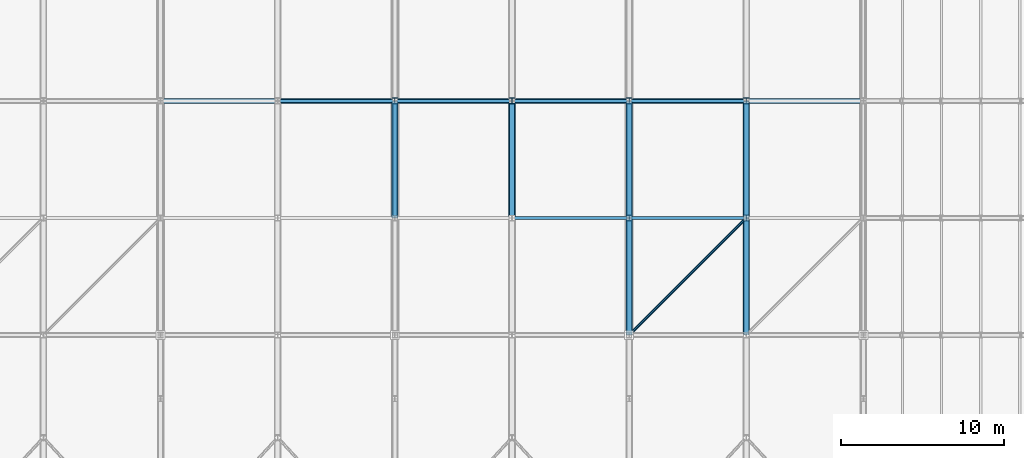
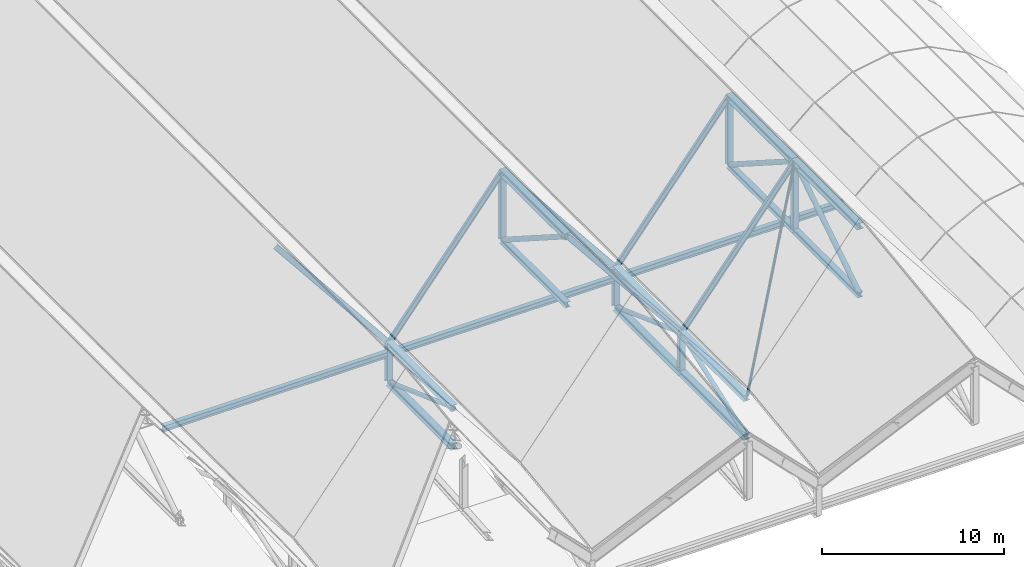
# One storey, part 13 of 60: 31 members, 3 beams.
"""IFC4 building model written with IfcOpenShell, lengths in metres."""

from ifc_helpers import new_model, si_unit, direction, frame, origin, origin_2d, place, context, subcontext, project, spatial, hollow_circle, i_section, extrude, material, material_profile, profile_set, type_object, element, save


model = new_model("IFC4")

# Units and contexts
model_context = context("Model", 3, precision=1e-05, world=origin(), true_north=direction((0.0, 1.0)))
body_context = subcontext(model_context, "Body", "Model", "MODEL_VIEW")
ifc_project = project(units=[si_unit("LENGTHUNIT", "METRE"), si_unit("AREAUNIT", "SQUARE_METRE"), si_unit("VOLUMEUNIT", "CUBIC_METRE"), si_unit("PLANEANGLEUNIT", "RADIAN"), si_unit("MASSUNIT", "GRAM", prefix="KILO")], contexts=[model_context])

# Site, building, storey
site_placement = place(None, origin())
site = spatial("IfcSite", under=ifc_project, at=site_placement, CompositionType="ELEMENT")
building_placement = place(site_placement, origin())
building = spatial("IfcBuilding", under=site, at=building_placement, Name="Vesperath Aquatics Centre", CompositionType="ELEMENT")
storey_placement = place(building_placement, frame((0.0, 0.0, 27.60009765625)))
storey = spatial("IfcBuildingStorey", under=building, at=storey_placement, Name="RF", CompositionType="ELEMENT", Elevation=27.60009765625)

# Beams
ifc_material_1 = material(Name="Steel Q355C", Category="steel")
ifc_material_profile_1 = material_profile(ifc_material_1, i_section(OverallWidth=0.300048828125, OverallDepth=0.389892578125, WebThickness=0.010009765625, FlangeThickness=0.01611328125, FilletRadius=0.02197265625, at=origin_2d()), Name="HM 390x300x10x16")
ifc_profile_set_1 = profile_set([ifc_material_profile_1], Name="Steel Q355C")
beam_type = type_object("IfcBeamType", Name="BM-RB03", PredefinedType="BEAM", material=ifc_profile_set_1)
for number, where, z_axis, x_axis, name in (
    (1, (57.60009765625, 28.800048828125, -10.478759765625), (1.0, 0.0, 0.0), (0.0, 1.0, 0.0), "Natatorium Roof Deck Support Beam B11 G5-28.8"),
    (2, (72.0, 28.800048828125, -10.478759765625), (1.0, 0.0, 0.0), (0.0, 1.0, 0.0), "Natatorium Roof Deck Support Beam B11 G6-28.8"),
):
    element("IfcBeam", number, at=place(storey_placement, frame(where, z_axis=z_axis, x_axis=x_axis)), inside=storey, type_object=beam_type, Name=name, PredefinedType="BEAM", context=body_context, shape_type="SweptSolid", body=[
        extrude(i_section(OverallWidth=0.300048828125, OverallDepth=0.389892578125, WebThickness=0.010009765625, FlangeThickness=0.01611328125, FilletRadius=0.02197265625, at=origin_2d()), origin(), (0.0, 0.0, 1.0), 14.39990234375),
    ])
beam_placement = place(storey_placement, frame((86.39990234375, 28.800048828125, -10.478759765625), z_axis=(1.0, 0.0, 0.0), x_axis=(0.0, 1.0, 0.0)))
element("IfcBeam", 3, at=beam_placement, inside=storey, type_object=beam_type, Name="Natatorium Roof Deck Support Beam B11 G7-28.8", PredefinedType="BEAM", context=body_context, shape_type="SweptSolid", body=[
    extrude(i_section(OverallWidth=0.300048828125, OverallDepth=0.389892578125, WebThickness=0.010009765625, FlangeThickness=0.01611328125, FilletRadius=0.02197265625, at=origin_2d()), origin(), (0.0, 0.0, 1.0), 14.400146484375),
])

# Members
ifc_material_2 = material(Name="Steel Q355D", Category="steel")
ifc_material_profile_2 = material_profile(ifc_material_2, i_section(OverallWidth=0.39990234375, OverallDepth=0.39990234375, WebThickness=0.012939453125, FlangeThickness=0.02099609375, FilletRadius=0.02197265625, at=origin_2d()), Name="HW 400x400x13x21")
ifc_profile_set_2 = profile_set([ifc_material_profile_2], Name="Steel Q355D")
member_type_1 = type_object("IfcMemberType", Name="MB-BC01", PredefinedType="CHORD", material=ifc_profile_set_2)
member_1_placement = place(storey_placement, frame((72.0, 21.60009765625, -12.400146484375), z_axis=(0.0, 1.0, 0.0), x_axis=(-1.0, 0.0, 0.0)))
element("IfcMember", 4, at=member_1_placement, inside=storey, type_object=member_type_1, Name="Natatorium ROOF TRUSS Bottom Chord BC01 G11-4", PredefinedType="CHORD", context=body_context, shape_type="SweptSolid", body=[
    extrude(i_section(OverallWidth=0.39990234375, OverallDepth=0.39990234375, WebThickness=0.012939453125, FlangeThickness=0.02099609375, FilletRadius=0.02197265625, at=origin_2d()), origin(), (0.0, 0.0, 1.0), 7.199951171875),
])
member_2_placement = place(storey_placement, frame((86.39990234375, 14.39990234375, -12.400146484375), z_axis=(0.0, 1.0, 0.0), x_axis=(-1.0, 0.0, 0.0)))
element("IfcMember", 5, at=member_2_placement, inside=storey, type_object=member_type_1, Name="Natatorium ROOF TRUSS Bottom Chord BC01 G13-3", PredefinedType="CHORD", context=body_context, shape_type="SweptSolid", body=[
    extrude(i_section(OverallWidth=0.39990234375, OverallDepth=0.39990234375, WebThickness=0.012939453125, FlangeThickness=0.02099609375, FilletRadius=0.02197265625, at=origin_2d()), origin(), (0.0, 0.0, 1.0), 7.2001953125),
])
member_3_placement = place(storey_placement, frame((86.39990234375, 21.60009765625, -12.400146484375), z_axis=(0.0, 1.0, 0.0), x_axis=(-1.0, 0.0, 0.0)))
element("IfcMember", 6, at=member_3_placement, inside=storey, type_object=member_type_1, Name="Natatorium ROOF TRUSS Bottom Chord BC01 G13-4", PredefinedType="CHORD", context=body_context, shape_type="SweptSolid", body=[
    extrude(i_section(OverallWidth=0.39990234375, OverallDepth=0.39990234375, WebThickness=0.012939453125, FlangeThickness=0.02099609375, FilletRadius=0.02197265625, at=origin_2d()), origin(), (0.0, 0.0, 1.0), 7.199951171875),
])
ifc_material_profile_3 = material_profile(ifc_material_2, i_section(OverallWidth=0.35009765625, OverallDepth=0.35009765625, WebThickness=0.011962890625, FlangeThickness=0.01904296875, FilletRadius=0.02001953125, at=origin_2d()), Name="HW 350x350x12x19")
ifc_profile_set_3 = profile_set([ifc_material_profile_3], Name="Steel Q355D")
member_type_2 = type_object("IfcMemberType", Name="MB-BC02", PredefinedType="CHORD", material=ifc_profile_set_3)
member_4_placement = place(storey_placement, frame((79.199951171875, 21.60009765625, -5.400146484375), z_axis=(0.0, 1.0, 0.0), x_axis=(-1.0, 0.0, 0.0)))
element("IfcMember", 7, at=member_4_placement, inside=storey, type_object=member_type_2, Name="Natatorium ROOF TRUSS Bottom Chord BC02 G12-4", PredefinedType="CHORD", context=body_context, shape_type="SweptSolid", body=[
    extrude(i_section(OverallWidth=0.35009765625, OverallDepth=0.35009765625, WebThickness=0.011962890625, FlangeThickness=0.01904296875, FilletRadius=0.02001953125, at=origin_2d()), origin(), (0.0, 0.0, 1.0), 7.199951171875),
])
member_5_placement = place(storey_placement, frame((93.60009765625, 14.39990234375, -5.400146484375), z_axis=(0.0, 1.0, 0.0), x_axis=(-1.0, 0.0, 0.0)))
element("IfcMember", 8, at=member_5_placement, inside=storey, type_object=member_type_2, Name="Natatorium ROOF TRUSS Bottom Chord BC02 G14-3", PredefinedType="CHORD", context=body_context, shape_type="SweptSolid", body=[
    extrude(i_section(OverallWidth=0.35009765625, OverallDepth=0.35009765625, WebThickness=0.011962890625, FlangeThickness=0.01904296875, FilletRadius=0.02001953125, at=origin_2d()), origin(), (0.0, 0.0, 1.0), 7.2001953125),
])
member_6_placement = place(storey_placement, frame((93.60009765625, 21.60009765625, -5.400146484375), z_axis=(0.0, 1.0, 0.0), x_axis=(-1.0, 0.0, 0.0)))
element("IfcMember", 9, at=member_6_placement, inside=storey, type_object=member_type_2, Name="Natatorium ROOF TRUSS Bottom Chord BC02 G14-4", PredefinedType="CHORD", context=body_context, shape_type="SweptSolid", body=[
    extrude(i_section(OverallWidth=0.35009765625, OverallDepth=0.35009765625, WebThickness=0.011962890625, FlangeThickness=0.01904296875, FilletRadius=0.02001953125, at=origin_2d()), origin(), (0.0, 0.0, 1.0), 7.199951171875),
])
ifc_material_profile_4 = material_profile(ifc_material_2, hollow_circle(Radius=0.084228515625, WallThickness=0.008056640625, at=origin_2d()), Name="CHS 168.3x8")
ifc_profile_set_4 = profile_set([ifc_material_profile_4], Name="Steel Q355D")
member_type_3 = type_object("IfcMemberType", Name="MB-BR01", PredefinedType="BRACE", material=ifc_profile_set_4)
member_7_placement = place(storey_placement, frame((86.4423828125, 14.4423828125, -9.7470703125), z_axis=(0.529812942826, 0.529812942826, 0.662266178533), x_axis=(-0.707106781187, 0.707106781187, 0.0)))
element("IfcMember", 10, at=member_7_placement, inside=storey, type_object=member_type_3, Name="Natatorium Roof Brace BR01 B13-14", PredefinedType="BRACE", context=body_context, shape_type="SweptSolid", body=[
    extrude(hollow_circle(Radius=0.084228515625, WallThickness=0.008056640625, at=origin_2d()), origin(), (0.0, 0.0, 1.0), 13.4296875),
])
ifc_material_profile_5 = material_profile(ifc_material_1, i_section(OverallWidth=0.175048828125, OverallDepth=0.35009765625, WebThickness=0.007080078125, FlangeThickness=0.010986328125, FilletRadius=0.012939453125, at=origin_2d()), Name="HN 350x175x7x11")
ifc_profile_set_5 = profile_set([ifc_material_profile_5], Name="Steel Q355C")
member_type_4 = type_object("IfcMemberType", Name="MB-PR01", PredefinedType="PURLIN", material=ifc_profile_set_5)
for number, where, z_axis, x_axis, name in (
    (11, (64.800048828125, 28.800048828125, -0.800048828125), (0.624692464322, 0.0, -0.780870876022), (0.0, 1.0, 0.0), "Natatorium Roof Purlin PR01 B10-3"),
    (12, (72.0, 28.800048828125, -9.800048828125), (0.624692464322, 0.0, 0.780870876022), (0.0, 1.0, 0.0), "Natatorium Roof Purlin PR01 B11-3"),
    (13, (79.199951171875, 21.60009765625, -0.800048828125), (0.624692464322, 0.0, -0.780870876022), (0.0, 1.0, 0.0), "Natatorium Roof Purlin PR01 B12-2"),
    (14, (79.199951171875, 28.800048828125, -0.800048828125), (0.624692464322, 0.0, -0.780870876022), (0.0, 1.0, 0.0), "Natatorium Roof Purlin PR01 B12-3"),
    (15, (86.39990234375, 21.60009765625, -9.800048828125), (0.624705380279, 0.0, 0.780860543151), (0.0, 1.0, 0.0), "Natatorium Roof Purlin PR01 B13-2"),
    (16, (86.39990234375, 28.800048828125, -9.800048828125), (0.624705380279, 0.0, 0.780860543151), (0.0, 1.0, 0.0), "Natatorium Roof Purlin PR01 B13-3"),
):
    element("IfcMember", number, at=place(storey_placement, frame(where, z_axis=z_axis, x_axis=x_axis)), inside=storey, type_object=member_type_4, Name=name, PredefinedType="PURLIN", context=body_context, shape_type="SweptSolid", body=[
        extrude(i_section(OverallWidth=0.175048828125, OverallDepth=0.35009765625, WebThickness=0.007080078125, FlangeThickness=0.010986328125, FilletRadius=0.012939453125, at=origin_2d()), origin(), (0.0, 0.0, 1.0), 11.525634765625),
    ])
ifc_material_profile_6 = material_profile(ifc_material_2, i_section(OverallWidth=0.406982421875, OverallDepth=0.427978515625, WebThickness=0.02001953125, FlangeThickness=0.034912109375, FilletRadius=0.02197265625, at=origin_2d()), Name="HW 428x407x20x35")
ifc_profile_set_6 = profile_set([ifc_material_profile_6], Name="Steel Q355D")
member_type_5 = type_object("IfcMemberType", Name="MB-TC01", PredefinedType="CHORD", material=ifc_profile_set_6)
member_8_placement = place(storey_placement, frame((79.199951171875, 21.60009765625, -0.800048828125), z_axis=(0.0, 1.0, 0.0), x_axis=(-1.0, 0.0, 0.0)))
element("IfcMember", 17, at=member_8_placement, inside=storey, type_object=member_type_5, Name="Natatorium ROOF TRUSS Top Chord TC01 G12-4", PredefinedType="CHORD", context=body_context, shape_type="SweptSolid", body=[
    extrude(i_section(OverallWidth=0.406982421875, OverallDepth=0.427978515625, WebThickness=0.02001953125, FlangeThickness=0.034912109375, FilletRadius=0.02197265625, at=origin_2d()), origin(), (0.0, 0.0, 1.0), 7.199951171875),
])
member_9_placement = place(storey_placement, frame((93.60009765625, 14.39990234375, -0.800048828125), z_axis=(0.0, 1.0, 0.0), x_axis=(-1.0, 0.0, 0.0)))
element("IfcMember", 18, at=member_9_placement, inside=storey, type_object=member_type_5, Name="Natatorium ROOF TRUSS Top Chord TC01 G14-3", PredefinedType="CHORD", context=body_context, shape_type="SweptSolid", body=[
    extrude(i_section(OverallWidth=0.406982421875, OverallDepth=0.427978515625, WebThickness=0.02001953125, FlangeThickness=0.034912109375, FilletRadius=0.02197265625, at=origin_2d()), origin(), (0.0, 0.0, 1.0), 7.2001953125),
])
member_10_placement = place(storey_placement, frame((93.60009765625, 21.60009765625, -0.800048828125), z_axis=(0.0, 1.0, 0.0), x_axis=(-1.0, 0.0, 0.0)))
element("IfcMember", 19, at=member_10_placement, inside=storey, type_object=member_type_5, Name="Natatorium ROOF TRUSS Top Chord TC01 G14-4", PredefinedType="CHORD", context=body_context, shape_type="SweptSolid", body=[
    extrude(i_section(OverallWidth=0.406982421875, OverallDepth=0.427978515625, WebThickness=0.02001953125, FlangeThickness=0.034912109375, FilletRadius=0.02197265625, at=origin_2d()), origin(), (0.0, 0.0, 1.0), 7.199951171875),
])
ifc_material_profile_7 = material_profile(ifc_material_2, i_section(OverallWidth=0.39990234375, OverallDepth=0.39990234375, WebThickness=0.012939453125, FlangeThickness=0.02099609375, FilletRadius=0.02197265625, at=origin_2d()), Name="HW 400x400x13x21")
ifc_profile_set_7 = profile_set([ifc_material_profile_7], Name="Steel Q355D")
member_type_6 = type_object("IfcMemberType", Name="MB-TC02", PredefinedType="CHORD", material=ifc_profile_set_7)
member_11_placement = place(storey_placement, frame((72.0, 21.60009765625, -9.800048828125), z_axis=(0.0, 1.0, 0.0), x_axis=(-1.0, 0.0, 0.0)))
element("IfcMember", 20, at=member_11_placement, inside=storey, type_object=member_type_6, Name="Natatorium ROOF TRUSS Top Chord TC02 G11-4", PredefinedType="CHORD", context=body_context, shape_type="SweptSolid", body=[
    extrude(i_section(OverallWidth=0.39990234375, OverallDepth=0.39990234375, WebThickness=0.012939453125, FlangeThickness=0.02099609375, FilletRadius=0.02197265625, at=origin_2d()), origin(), (0.0, 0.0, 1.0), 7.199951171875),
])
member_12_placement = place(storey_placement, frame((86.39990234375, 14.39990234375, -9.800048828125), z_axis=(0.0, 1.0, 0.0), x_axis=(-1.0, 0.0, 0.0)))
element("IfcMember", 21, at=member_12_placement, inside=storey, type_object=member_type_6, Name="Natatorium ROOF TRUSS Top Chord TC02 G13-3", PredefinedType="CHORD", context=body_context, shape_type="SweptSolid", body=[
    extrude(i_section(OverallWidth=0.39990234375, OverallDepth=0.39990234375, WebThickness=0.012939453125, FlangeThickness=0.02099609375, FilletRadius=0.02197265625, at=origin_2d()), origin(), (0.0, 0.0, 1.0), 7.2001953125),
])
member_13_placement = place(storey_placement, frame((86.39990234375, 21.60009765625, -9.800048828125), z_axis=(0.0, 1.0, 0.0), x_axis=(-1.0, 0.0, 0.0)))
element("IfcMember", 22, at=member_13_placement, inside=storey, type_object=member_type_6, Name="Natatorium ROOF TRUSS Top Chord TC02 G13-4", PredefinedType="CHORD", context=body_context, shape_type="SweptSolid", body=[
    extrude(i_section(OverallWidth=0.39990234375, OverallDepth=0.39990234375, WebThickness=0.012939453125, FlangeThickness=0.02099609375, FilletRadius=0.02197265625, at=origin_2d()), origin(), (0.0, 0.0, 1.0), 7.199951171875),
])
ifc_material_profile_8 = material_profile(ifc_material_2, hollow_circle(Radius=0.161865234375, WallThickness=0.013916015625, at=origin_2d()), Name="CHS 323.9x14")
ifc_profile_set_8 = profile_set([ifc_material_profile_8], Name="Steel Q355D")
member_type_7 = type_object("IfcMemberType", Name="MB-TD01", PredefinedType="BRACE", material=ifc_profile_set_8)
member_14_placement = place(storey_placement, frame((79.199951171875, 21.66748046875, -0.84326171875), z_axis=(0.0, 0.84270690245, -0.538372618698), x_axis=(-1.0, 0.0, 0.0)))
element("IfcMember", 23, at=member_14_placement, inside=storey, type_object=member_type_7, Name="Natatorium ROOF TRUSS Diagonal TD01 G12-4", PredefinedType="BRACE", context=body_context, shape_type="SweptSolid", body=[
    extrude(hollow_circle(Radius=0.161865234375, WallThickness=0.013916015625, at=origin_2d()), origin(), (0.0, 0.0, 1.0), 8.384033203125),
])
member_15_placement = place(storey_placement, frame((93.60009765625, 14.467529296875, -5.35693359375), z_axis=(0.0, 0.842698461818, 0.538385830468), x_axis=(-1.0, 0.0, 0.0)))
element("IfcMember", 24, at=member_15_placement, inside=storey, type_object=member_type_7, Name="Natatorium ROOF TRUSS Diagonal TD01 G14-3", PredefinedType="BRACE", context=body_context, shape_type="SweptSolid", body=[
    extrude(hollow_circle(Radius=0.161865234375, WallThickness=0.013916015625, at=origin_2d()), origin(), (0.0, 0.0, 1.0), 8.3837890625),
])
member_16_placement = place(storey_placement, frame((93.60009765625, 21.66748046875, -0.84326171875), z_axis=(0.0, 0.84270690245, -0.538372618698), x_axis=(-1.0, 0.0, 0.0)))
element("IfcMember", 25, at=member_16_placement, inside=storey, type_object=member_type_7, Name="Natatorium ROOF TRUSS Diagonal TD01 G14-4", PredefinedType="BRACE", context=body_context, shape_type="SweptSolid", body=[
    extrude(hollow_circle(Radius=0.161865234375, WallThickness=0.013916015625, at=origin_2d()), origin(), (0.0, 0.0, 1.0), 8.384033203125),
])
ifc_material_profile_9 = material_profile(ifc_material_2, hollow_circle(Radius=0.136474609375, WallThickness=0.011962890625, at=origin_2d()), Name="CHS 273.0x12")
ifc_profile_set_9 = profile_set([ifc_material_profile_9], Name="Steel Q355D")
member_type_8 = type_object("IfcMemberType", Name="MB-TD02", PredefinedType="BRACE", material=ifc_profile_set_9)
member_17_placement = place(storey_placement, frame((72.0, 21.67529296875, -9.8271484375), z_axis=(0.0, 0.940544360889, -0.339670877761), x_axis=(-1.0, 0.0, 0.0)))
element("IfcMember", 26, at=member_17_placement, inside=storey, type_object=member_type_8, Name="Natatorium ROOF TRUSS Diagonal TD02 G11-4", PredefinedType="BRACE", context=body_context, shape_type="SweptSolid", body=[
    extrude(hollow_circle(Radius=0.136474609375, WallThickness=0.011962890625, at=origin_2d()), origin(), (0.0, 0.0, 1.0), 7.4951171875),
])
member_18_placement = place(storey_placement, frame((86.39990234375, 14.475341796875, -12.373046875), z_axis=(0.0, 0.940540602568, 0.339681284324), x_axis=(-1.0, 0.0, 0.0)))
element("IfcMember", 27, at=member_18_placement, inside=storey, type_object=member_type_8, Name="Natatorium ROOF TRUSS Diagonal TD02 G13-3", PredefinedType="BRACE", context=body_context, shape_type="SweptSolid", body=[
    extrude(hollow_circle(Radius=0.136474609375, WallThickness=0.011962890625, at=origin_2d()), origin(), (0.0, 0.0, 1.0), 7.494873046875),
])
member_19_placement = place(storey_placement, frame((86.39990234375, 21.67529296875, -9.8271484375), z_axis=(0.0, 0.940544360889, -0.339670877761), x_axis=(-1.0, 0.0, 0.0)))
element("IfcMember", 28, at=member_19_placement, inside=storey, type_object=member_type_8, Name="Natatorium ROOF TRUSS Diagonal TD02 G13-4", PredefinedType="BRACE", context=body_context, shape_type="SweptSolid", body=[
    extrude(hollow_circle(Radius=0.136474609375, WallThickness=0.011962890625, at=origin_2d()), origin(), (0.0, 0.0, 1.0), 7.4951171875),
])
ifc_material_profile_10 = material_profile(ifc_material_2, i_section(OverallWidth=0.35009765625, OverallDepth=0.35009765625, WebThickness=0.011962890625, FlangeThickness=0.01904296875, FilletRadius=0.02001953125, at=origin_2d()), Name="HW 350x350x12x19")
ifc_profile_set_10 = profile_set([ifc_material_profile_10], Name="Steel Q355D")
member_type_9 = type_object("IfcMemberType", Name="MB-TP01", PredefinedType="POST", material=ifc_profile_set_10)
member_20_placement = place(storey_placement, frame((72.0, 28.800048828125, -12.400146484375), z_axis=(0.0, 0.0, 1.0), x_axis=(1.0, 0.0, 0.0)))
element("IfcMember", 29, at=member_20_placement, inside=storey, type_object=member_type_9, Name="Natatorium ROOF TRUSS Post TP01 G11-5", PredefinedType="POST", context=body_context, shape_type="SweptSolid", body=[
    extrude(i_section(OverallWidth=0.35009765625, OverallDepth=0.35009765625, WebThickness=0.011962890625, FlangeThickness=0.01904296875, FilletRadius=0.02001953125, at=origin_2d()), origin(), (0.0, 0.0, 1.0), 2.60009765625),
])
member_21_placement = place(storey_placement, frame((79.199951171875, 28.800048828125, -5.400146484375), z_axis=(0.0, 0.0, 1.0), x_axis=(1.0, 0.0, 0.0)))
element("IfcMember", 30, at=member_21_placement, inside=storey, type_object=member_type_9, Name="Natatorium ROOF TRUSS Post TP01 G12-5", PredefinedType="POST", context=body_context, shape_type="SweptSolid", body=[
    extrude(i_section(OverallWidth=0.35009765625, OverallDepth=0.35009765625, WebThickness=0.011962890625, FlangeThickness=0.01904296875, FilletRadius=0.02001953125, at=origin_2d()), origin(), (0.0, 0.0, 1.0), 4.60009765625),
])
for number, where, z_axis, x_axis, name in (
    (31, (86.39990234375, 21.60009765625, -12.400146484375), (0.0, 0.0, 1.0), (1.0, 0.0, 0.0), "Natatorium ROOF TRUSS Post TP01 G13-4"),
    (32, (86.39990234375, 28.800048828125, -12.400146484375), (0.0, 0.0, 1.0), (1.0, 0.0, 0.0), "Natatorium ROOF TRUSS Post TP01 G13-5"),
):
    element("IfcMember", number, at=place(storey_placement, frame(where, z_axis=z_axis, x_axis=x_axis)), inside=storey, type_object=member_type_9, Name=name, PredefinedType="POST", context=body_context, shape_type="SweptSolid", body=[
        extrude(i_section(OverallWidth=0.35009765625, OverallDepth=0.35009765625, WebThickness=0.011962890625, FlangeThickness=0.01904296875, FilletRadius=0.02001953125, at=origin_2d()), origin(), (0.0, 0.0, 1.0), 2.60009765625),
    ])
for number, where, z_axis, x_axis, name in (
    (33, (93.60009765625, 21.60009765625, -5.400146484375), (0.0, 0.0, 1.0), (1.0, 0.0, 0.0), "Natatorium ROOF TRUSS Post TP01 G14-4"),
    (34, (93.60009765625, 28.800048828125, -5.400146484375), (0.0, 0.0, 1.0), (1.0, 0.0, 0.0), "Natatorium ROOF TRUSS Post TP01 G14-5"),
):
    element("IfcMember", number, at=place(storey_placement, frame(where, z_axis=z_axis, x_axis=x_axis)), inside=storey, type_object=member_type_9, Name=name, PredefinedType="POST", context=body_context, shape_type="SweptSolid", body=[
        extrude(i_section(OverallWidth=0.35009765625, OverallDepth=0.35009765625, WebThickness=0.011962890625, FlangeThickness=0.01904296875, FilletRadius=0.02001953125, at=origin_2d()), origin(), (0.0, 0.0, 1.0), 4.60009765625),
    ])

save(model, "model.ifc")
